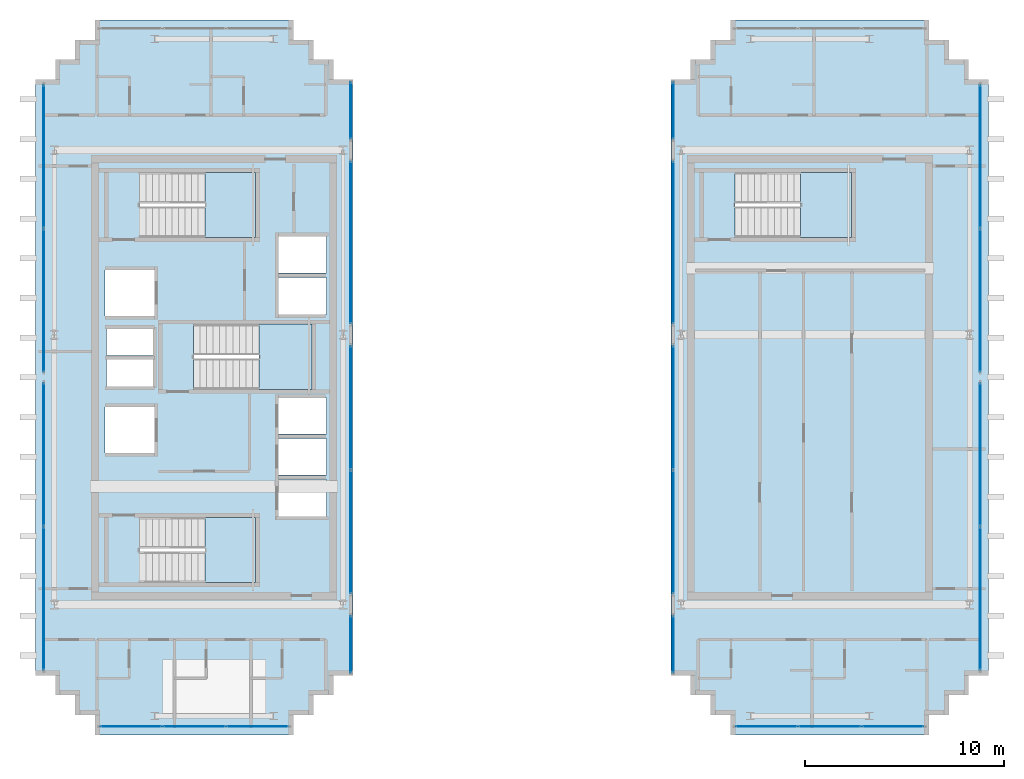
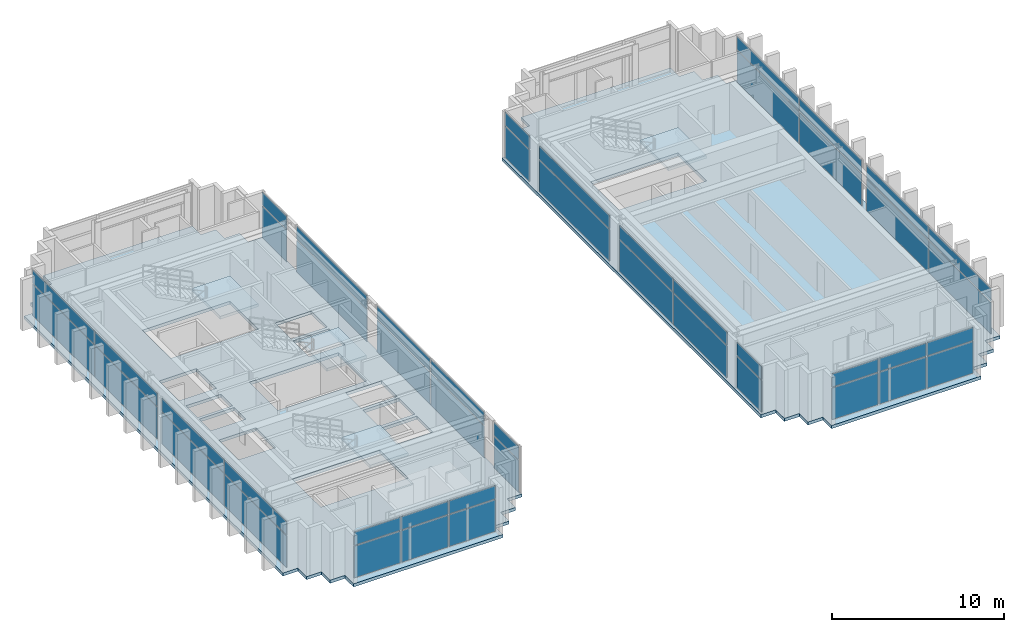
# One storey, part 18 of 25: 48 plates, 6 slabs, 18 elements without a shape of their own.
"""IFC4 building model written with IfcOpenShell, lengths in metres."""

from ifc_helpers import new_model, si_unit, direction, frame, origin, origin_2d, place, context, subcontext, project, spatial, polyline, rectangle, outline, extrude, source, transform, mapped, material, layer, layer_set, type_object, element, aggregate, save


model = new_model("IFC4")

# Units and contexts
model_context = context("Model", 3, precision=1e-05, world=origin(), true_north=direction((0.0, 1.0)))
body_context = subcontext(model_context, "Body", "Model", "MODEL_VIEW")
ifc_project = project(units=[si_unit("LENGTHUNIT", "METRE"), si_unit("AREAUNIT", "SQUARE_METRE"), si_unit("VOLUMEUNIT", "CUBIC_METRE"), si_unit("PLANEANGLEUNIT", "RADIAN"), si_unit("MASSUNIT", "GRAM", prefix="KILO")], contexts=[model_context])

# Site, building, storey
site_placement = place(None, origin())
site = spatial("IfcSite", under=ifc_project, at=site_placement, CompositionType="ELEMENT")
building_placement = place(site_placement, origin())
building = spatial("IfcBuilding", under=site, at=building_placement, Name="Ocotamira Hotel", CompositionType="ELEMENT")
storey_placement = place(building_placement, frame((0.0, 0.0, 254.39990234375)))
storey = spatial("IfcBuildingStorey", under=building, at=storey_placement, Name="L64", CompositionType="ELEMENT", Elevation=254.39990234375)

# Stair, slab
ifc_material_1 = material(Name="Concrete C40/50", Category="concrete")
stair_type = type_object("IfcStairType", Name="ST-CORE-1560", PredefinedType="HALF_TURN_STAIR", material=ifc_material_1)
stair_1_placement = place(storey_placement, origin())
stair_1 = element("IfcStair", 1, at=stair_1_placement, inside=storey, type_object=stair_type, Name="L64 Exit Stair ST-1", PredefinedType="HALF_TURN_STAIR")
ifc_layer_1 = layer(ifc_material_1, 0.199951171875)
ifc_layer_set_1 = layer_set([ifc_layer_1], Name="Concrete C40/50")
slab_type_1 = type_object("IfcSlabType", Name="SLB-LAND-200", PredefinedType="LANDING", material=ifc_layer_set_1)
slab_1_placement = place(storey_placement, frame((0.0, 0.0, 1.60009765625)))
slab_1 = element("IfcSlab", 2, at=slab_1_placement, type_object=slab_type_1, Name="ST-1 landing 1", PredefinedType="LANDING", context=body_context, shape_type="SweptSolid", body=[
    extrude(outline(polyline([(16.530029296875, 15.669921875), (19.090087890625, 15.669921875), (19.090087890625, 18.949951171875), (16.530029296875, 18.949951171875), (16.530029296875, 15.669921875)])), origin(), (0.0, 0.0, 1.0), 0.199951171875),
])
aggregate(stair_1, [slab_1])

stair_2_placement = place(storey_placement, origin())
stair_2 = element("IfcStair", 3, at=stair_2_placement, inside=storey, type_object=stair_type, Name="L64 Exit Stair ST-2", PredefinedType="HALF_TURN_STAIR")
slab_2_placement = place(storey_placement, frame((0.0, 0.0, 1.60009765625)))
slab_2 = element("IfcSlab", 4, at=slab_2_placement, type_object=slab_type_1, Name="ST-2 landing 1", PredefinedType="LANDING", context=body_context, shape_type="SweptSolid", body=[
    extrude(outline(polyline([(16.530029296875, 33.050048828125), (19.090087890625, 33.050048828125), (19.090087890625, 36.330078125), (16.530029296875, 36.330078125), (16.530029296875, 33.050048828125)])), origin(), (0.0, 0.0, 1.0), 0.199951171875),
])
aggregate(stair_2, [slab_2])

stair_3_placement = place(storey_placement, origin())
stair_3 = element("IfcStair", 5, at=stair_3_placement, inside=storey, type_object=stair_type, Name="L64 Exit Stair ST-3", PredefinedType="HALF_TURN_STAIR")
slab_3_placement = place(storey_placement, frame((0.0, 0.0, 1.60009765625)))
slab_3 = element("IfcSlab", 6, at=slab_3_placement, type_object=slab_type_1, Name="ST-3 landing 1", PredefinedType="LANDING", context=body_context, shape_type="SweptSolid", body=[
    extrude(outline(polyline([(19.260009765625, 25.39990234375), (21.919921875, 25.39990234375), (21.919921875, 28.679931640625), (19.260009765625, 28.679931640625), (19.260009765625, 25.39990234375)])), origin(), (0.0, 0.0, 1.0), 0.199951171875),
])
aggregate(stair_3, [slab_3])

stair_4_placement = place(storey_placement, origin())
stair_4 = element("IfcStair", 7, at=stair_4_placement, inside=storey, type_object=stair_type, Name="L64 Exit Stair ST-4", PredefinedType="HALF_TURN_STAIR")
slab_4_placement = place(storey_placement, frame((0.0, 0.0, 1.60009765625)))
slab_4 = element("IfcSlab", 8, at=slab_4_placement, type_object=slab_type_1, Name="ST-4 landing 1", PredefinedType="LANDING", context=body_context, shape_type="SweptSolid", body=[
    extrude(outline(polyline([(46.530029296875, 33.050048828125), (49.090087890625, 33.050048828125), (49.090087890625, 36.330078125), (46.530029296875, 36.330078125), (46.530029296875, 33.050048828125)])), origin(), (0.0, 0.0, 1.0), 0.199951171875),
])
aggregate(stair_4, [slab_4])

# Slabs
ifc_layer_2 = layer(ifc_material_1, 0.219970703125)
ifc_layer_set_2 = layer_set([ifc_layer_2], Name="Concrete C40/50")
slab_type_2 = type_object("IfcSlabType", Name="SLB-UPP-220", PredefinedType="FLOOR", material=ifc_layer_set_2)
slab_5_placement = place(storey_placement, frame((0.0, 0.0, -0.219970703125)))
element("IfcSlab", 9, at=slab_5_placement, inside=storey, type_object=slab_type_2, Name="L64 Structural Floor Slab-P1", PredefinedType="FLOOR", context=body_context, shape_type="SweptSolid", body=[
    extrude(outline(polyline([(11.0, 8.0), (21.0, 8.0), (21.0, 9.0), (22.0, 9.0), (22.0, 10.0), (23.0, 10.0), (23.0, 11.0), (24.0, 11.0), (24.0, 41.0), (23.0, 41.0), (23.0, 42.0), (22.0, 42.0), (22.0, 43.0), (21.0, 43.0), (21.0, 44.0), (11.0, 44.0), (11.0, 43.0), (10.0, 43.0), (10.0, 42.0), (9.0, 42.0), (9.0, 41.0), (8.0, 41.0), (8.0, 11.0), (9.0, 11.0), (9.0, 10.0), (10.0, 10.0), (10.0, 9.0), (11.0, 9.0), (11.0, 8.0)]), holes=[polyline([(13.22998046875, 15.669921875), (19.090087890625, 15.669921875), (19.090087890625, 18.949951171875), (13.22998046875, 18.949951171875), (13.22998046875, 15.669921875)]), polyline([(13.22998046875, 33.050048828125), (19.090087890625, 33.050048828125), (19.090087890625, 36.330078125), (13.22998046875, 36.330078125), (13.22998046875, 33.050048828125)]), polyline([(15.9599609375, 25.39990234375), (21.919921875, 25.39990234375), (21.919921875, 28.679931640625), (15.9599609375, 28.679931640625), (15.9599609375, 25.39990234375)]), polyline([(20.25, 19.0), (22.659912109375, 19.0), (22.659912109375, 20.85009765625), (20.25, 20.85009765625), (20.25, 19.0)]), polyline([(20.25, 21.080078125), (22.659912109375, 21.080078125), (22.659912109375, 22.929931640625), (20.25, 22.929931640625), (20.25, 21.080078125)]), polyline([(20.25, 23.159912109375), (22.659912109375, 23.159912109375), (22.659912109375, 24.9599609375), (20.25, 24.9599609375), (20.25, 23.159912109375)]), polyline([(20.25, 29.179931640625), (22.659912109375, 29.179931640625), (22.659912109375, 31.030029296875), (20.25, 31.030029296875), (20.25, 29.179931640625)]), polyline([(20.25, 31.260009765625), (22.659912109375, 31.260009765625), (22.659912109375, 33.110107421875), (20.25, 33.110107421875), (20.25, 31.260009765625)]), polyline([(11.5, 22.199951171875), (14.0, 22.199951171875), (14.0, 24.5), (11.5, 24.5), (11.5, 22.199951171875)]), polyline([(11.5, 29.10009765625), (14.0, 29.10009765625), (14.0, 31.39990234375), (11.5, 31.39990234375), (11.5, 29.10009765625)]), polyline([(11.580078125, 25.550048828125), (13.919921875, 25.550048828125), (13.919921875, 26.89990234375), (11.580078125, 26.89990234375), (11.580078125, 25.550048828125)]), polyline([(11.580078125, 27.10009765625), (13.919921875, 27.10009765625), (13.919921875, 28.449951171875), (11.580078125, 28.449951171875), (11.580078125, 27.10009765625)])]), origin(), (0.0, 0.0, 1.0), 0.219970703125),
])
slab_6_placement = place(storey_placement, frame((0.0, 0.0, -0.219970703125)))
element("IfcSlab", 10, at=slab_6_placement, inside=storey, type_object=slab_type_2, Name="L64 Structural Floor Slab-P2", PredefinedType="FLOOR", context=body_context, shape_type="SweptSolid", body=[
    extrude(outline(polyline([(43.0, 8.0), (53.0, 8.0), (53.0, 9.0), (54.0, 9.0), (54.0, 10.0), (55.0, 10.0), (55.0, 11.0), (56.0, 11.0), (56.0, 41.0), (55.0, 41.0), (55.0, 42.0), (54.0, 42.0), (54.0, 43.0), (53.0, 43.0), (53.0, 44.0), (43.0, 44.0), (43.0, 43.0), (42.0, 43.0), (42.0, 42.0), (41.0, 42.0), (41.0, 41.0), (40.0, 41.0), (40.0, 11.0), (41.0, 11.0), (41.0, 10.0), (42.0, 10.0), (42.0, 9.0), (43.0, 9.0), (43.0, 8.0)]), holes=[polyline([(43.22998046875, 33.050048828125), (49.090087890625, 33.050048828125), (49.090087890625, 36.330078125), (43.22998046875, 36.330078125), (43.22998046875, 33.050048828125)])]), origin(), (0.0, 0.0, 1.0), 0.219970703125),
])

# Curtain wall, plates
ifc_material_2 = material(Name="Anodised pale-metal aluminium and solar glass", Category="aluminium")
ifc_layer_3 = layer(ifc_material_2, 0.2099609375)
ifc_layer_set_3 = layer_set([ifc_layer_3], Name="Anodised pale-metal aluminium and solar glass")
curtain_wall_type = type_object("IfcCurtainWallType", Name="CW-SYS7-PEAK", PredefinedType="NOTDEFINED", material=ifc_layer_set_3)
curtain_wall_1_placement = place(storey_placement, origin())
curtain_wall_1 = element("IfcCurtainWall", 11, at=curtain_wall_1_placement, inside=storey, type_object=curtain_wall_type, Name="L64 Curtain Wall CW-7 CW-L64-WS", PredefinedType="NOTDEFINED")
ifc_material_3 = material(Name="Double-silver low-E insulated solar glass", Category="glass")
ifc_layer_4 = layer(ifc_material_3, 0.031982421875)
ifc_layer_set_4 = layer_set([ifc_layer_4], Name="Double-silver low-E insulated solar glass")
plate_type = type_object("IfcPlateType", Name="CWP-VISION-32", PredefinedType="CURTAIN_PANEL", material=ifc_layer_set_4)
shared_shape_1 = source(origin(), body_context, "Body", "SweptSolid", [
    extrude(rectangle(XDim=3.080078125, YDim=0.031982421875, at=origin_2d()), origin(), (0.0, 0.0, 1.0), 2.237548828125),
])
plate_1_placement = place(storey_placement, frame((12.820068359375, 8.419921875, 0.0751953125), z_axis=(0.0, 0.0, 1.0), x_axis=(1.0, 0.0, 0.0)))
plate_1 = element("IfcPlate", 12, at=plate_1_placement, type_object=plate_type, Name="CW-7 panel 1.1", PredefinedType="CURTAIN_PANEL", context=body_context, shape_type="MappedRepresentation", body=[
    mapped(shared_shape_1, transform((0.0, 0.0, 0.0), scale=1.0)),
])
plate_2_placement = place(storey_placement, frame((19.179931640625, 8.419921875, 0.0751953125), z_axis=(0.0, 0.0, 1.0), x_axis=(1.0, 0.0, 0.0)))
plate_2 = element("IfcPlate", 13, at=plate_2_placement, type_object=plate_type, Name="CW-7 panel 3.1", PredefinedType="CURTAIN_PANEL", context=body_context, shape_type="MappedRepresentation", body=[
    mapped(shared_shape_1, transform((0.0, 0.0, 0.0), scale=1.0)),
])

curtain_wall_2_placement = place(storey_placement, origin())
curtain_wall_2 = element("IfcCurtainWall", 14, at=curtain_wall_2_placement, inside=storey, type_object=curtain_wall_type, Name="L64 Curtain Wall CW-7 CW-L64-ES", PredefinedType="NOTDEFINED")
plate_3_placement = place(storey_placement, frame((44.820068359375, 8.419921875, 0.0751953125), z_axis=(0.0, 0.0, 1.0), x_axis=(1.0, 0.0, 0.0)))
plate_3 = element("IfcPlate", 15, at=plate_3_placement, type_object=plate_type, Name="CW-7 panel 1.1", PredefinedType="CURTAIN_PANEL", context=body_context, shape_type="MappedRepresentation", body=[
    mapped(shared_shape_1, transform((0.0, 0.0, 0.0), scale=1.0)),
])
plate_4_placement = place(storey_placement, frame((51.179931640625, 8.419921875, 0.0751953125), z_axis=(0.0, 0.0, 1.0), x_axis=(1.0, 0.0, 0.0)))
plate_4 = element("IfcPlate", 16, at=plate_4_placement, type_object=plate_type, Name="CW-7 panel 3.1", PredefinedType="CURTAIN_PANEL", context=body_context, shape_type="MappedRepresentation", body=[
    mapped(shared_shape_1, transform((0.0, 0.0, 0.0), scale=1.0)),
])

# Plate
shared_shape_2 = source(origin(), body_context, "Body", "SweptSolid", [
    extrude(rectangle(XDim=3.080078125, YDim=0.031982421875, at=origin_2d()), origin(), (0.0, 0.0, 1.0), 0.91748046875),
])
plate_5_placement = place(storey_placement, frame((12.820068359375, 8.419921875, 2.3876953125), z_axis=(0.0, 0.0, 1.0), x_axis=(1.0, 0.0, 0.0)))
plate_5 = element("IfcPlate", 17, at=plate_5_placement, type_object=plate_type, Name="CW-7 panel 1.2", PredefinedType="CURTAIN_PANEL", context=body_context, shape_type="MappedRepresentation", body=[
    mapped(shared_shape_2, transform((0.0, 0.0, 0.0), scale=1.0)),
])

plate_6_placement = place(storey_placement, frame((19.179931640625, 8.419921875, 2.3876953125), z_axis=(0.0, 0.0, 1.0), x_axis=(1.0, 0.0, 0.0)))
plate_6 = element("IfcPlate", 18, at=plate_6_placement, type_object=plate_type, Name="CW-7 panel 3.2", PredefinedType="CURTAIN_PANEL", context=body_context, shape_type="MappedRepresentation", body=[
    mapped(shared_shape_2, transform((0.0, 0.0, 0.0), scale=1.0)),
])

plate_7_placement = place(storey_placement, frame((44.820068359375, 8.419921875, 2.3876953125), z_axis=(0.0, 0.0, 1.0), x_axis=(1.0, 0.0, 0.0)))
plate_7 = element("IfcPlate", 19, at=plate_7_placement, type_object=plate_type, Name="CW-7 panel 1.2", PredefinedType="CURTAIN_PANEL", context=body_context, shape_type="MappedRepresentation", body=[
    mapped(shared_shape_2, transform((0.0, 0.0, 0.0), scale=1.0)),
])

plate_8_placement = place(storey_placement, frame((51.179931640625, 8.419921875, 2.3876953125), z_axis=(0.0, 0.0, 1.0), x_axis=(1.0, 0.0, 0.0)))
plate_8 = element("IfcPlate", 20, at=plate_8_placement, type_object=plate_type, Name="CW-7 panel 3.2", PredefinedType="CURTAIN_PANEL", context=body_context, shape_type="MappedRepresentation", body=[
    mapped(shared_shape_2, transform((0.0, 0.0, 0.0), scale=1.0)),
])

shared_shape_3 = source(origin(), body_context, "Body", "SweptSolid", [
    extrude(rectangle(XDim=3.1201171875, YDim=0.031982421875, at=origin_2d()), origin(), (0.0, 0.0, 1.0), 2.237548828125),
])
plate_9_placement = place(storey_placement, frame((16.0, 8.419921875, 0.0751953125), z_axis=(0.0, 0.0, 1.0), x_axis=(1.0, 0.0, 0.0)))
plate_9 = element("IfcPlate", 21, at=plate_9_placement, type_object=plate_type, Name="CW-7 panel 2.1", PredefinedType="CURTAIN_PANEL", context=body_context, shape_type="MappedRepresentation", body=[
    mapped(shared_shape_3, transform((0.0, 0.0, 0.0), scale=1.0)),
])

plate_10_placement = place(storey_placement, frame((48.0, 8.419921875, 0.0751953125), z_axis=(0.0, 0.0, 1.0), x_axis=(1.0, 0.0, 0.0)))
plate_10 = element("IfcPlate", 22, at=plate_10_placement, type_object=plate_type, Name="CW-7 panel 2.1", PredefinedType="CURTAIN_PANEL", context=body_context, shape_type="MappedRepresentation", body=[
    mapped(shared_shape_3, transform((0.0, 0.0, 0.0), scale=1.0)),
])

shared_shape_4 = source(origin(), body_context, "Body", "SweptSolid", [
    extrude(rectangle(XDim=3.1201171875, YDim=0.031982421875, at=origin_2d()), origin(), (0.0, 0.0, 1.0), 0.91748046875),
])
plate_11_placement = place(storey_placement, frame((16.0, 8.419921875, 2.3876953125), z_axis=(0.0, 0.0, 1.0), x_axis=(1.0, 0.0, 0.0)))
plate_11 = element("IfcPlate", 23, at=plate_11_placement, type_object=plate_type, Name="CW-7 panel 2.2", PredefinedType="CURTAIN_PANEL", context=body_context, shape_type="MappedRepresentation", body=[
    mapped(shared_shape_4, transform((0.0, 0.0, 0.0), scale=1.0)),
])

aggregate(curtain_wall_1, [plate_1, plate_5, plate_9, plate_11, plate_2, plate_6])

plate_12_placement = place(storey_placement, frame((48.0, 8.419921875, 2.3876953125), z_axis=(0.0, 0.0, 1.0), x_axis=(1.0, 0.0, 0.0)))
plate_12 = element("IfcPlate", 24, at=plate_12_placement, type_object=plate_type, Name="CW-7 panel 2.2", PredefinedType="CURTAIN_PANEL", context=body_context, shape_type="MappedRepresentation", body=[
    mapped(shared_shape_4, transform((0.0, 0.0, 0.0), scale=1.0)),
])

aggregate(curtain_wall_2, [plate_3, plate_7, plate_10, plate_12, plate_4, plate_8])

# Curtain wall, plates
curtain_wall_3_placement = place(storey_placement, origin())
curtain_wall_3 = element("IfcCurtainWall", 25, at=curtain_wall_3_placement, inside=storey, type_object=curtain_wall_type, Name="L64 Curtain Wall CW-7 CW-L64-WO1", PredefinedType="NOTDEFINED")
shared_shape_5 = source(origin(), body_context, "Body", "SweptSolid", [
    extrude(rectangle(XDim=7.179931640625, YDim=0.031982421875, at=origin_2d()), origin(), (0.0, 0.0, 1.0), 2.237548828125),
])
plate_13_placement = place(storey_placement, frame((8.419921875, 14.8701171875, 0.0751953125), z_axis=(0.0, 0.0, 1.0), x_axis=(0.0, 1.0, 0.0)))
plate_13 = element("IfcPlate", 26, at=plate_13_placement, type_object=plate_type, Name="CW-7 panel 1.1", PredefinedType="CURTAIN_PANEL", context=body_context, shape_type="MappedRepresentation", body=[
    mapped(shared_shape_5, transform((0.0, 0.0, 0.0), scale=1.0)),
])
plate_14_placement = place(storey_placement, frame((8.419921875, 22.1298828125, 0.0751953125), z_axis=(0.0, 0.0, 1.0), x_axis=(0.0, 1.0, 0.0)))
plate_14 = element("IfcPlate", 27, at=plate_14_placement, type_object=plate_type, Name="CW-7 panel 2.1", PredefinedType="CURTAIN_PANEL", context=body_context, shape_type="MappedRepresentation", body=[
    mapped(shared_shape_5, transform((0.0, 0.0, 0.0), scale=1.0)),
])

curtain_wall_4_placement = place(storey_placement, origin())
curtain_wall_4 = element("IfcCurtainWall", 28, at=curtain_wall_4_placement, inside=storey, type_object=curtain_wall_type, Name="L64 Curtain Wall CW-7 CW-L64-WO2", PredefinedType="NOTDEFINED")
plate_15_placement = place(storey_placement, frame((8.419921875, 29.8701171875, 0.0751953125), z_axis=(0.0, 0.0, 1.0), x_axis=(0.0, 1.0, 0.0)))
plate_15 = element("IfcPlate", 29, at=plate_15_placement, type_object=plate_type, Name="CW-7 panel 1.1", PredefinedType="CURTAIN_PANEL", context=body_context, shape_type="MappedRepresentation", body=[
    mapped(shared_shape_5, transform((0.0, 0.0, 0.0), scale=1.0)),
])
plate_16_placement = place(storey_placement, frame((8.419921875, 37.1298828125, 0.0751953125), z_axis=(0.0, 0.0, 1.0), x_axis=(0.0, 1.0, 0.0)))
plate_16 = element("IfcPlate", 30, at=plate_16_placement, type_object=plate_type, Name="CW-7 panel 2.1", PredefinedType="CURTAIN_PANEL", context=body_context, shape_type="MappedRepresentation", body=[
    mapped(shared_shape_5, transform((0.0, 0.0, 0.0), scale=1.0)),
])

curtain_wall_5_placement = place(storey_placement, origin())
curtain_wall_5 = element("IfcCurtainWall", 31, at=curtain_wall_5_placement, inside=storey, type_object=curtain_wall_type, Name="L64 Curtain Wall CW-7 CW-L64-EO1", PredefinedType="NOTDEFINED")
plate_17_placement = place(storey_placement, frame((55.580078125, 14.8701171875, 0.0751953125), z_axis=(0.0, 0.0, 1.0), x_axis=(0.0, 1.0, 0.0)))
plate_17 = element("IfcPlate", 32, at=plate_17_placement, type_object=plate_type, Name="CW-7 panel 1.1", PredefinedType="CURTAIN_PANEL", context=body_context, shape_type="MappedRepresentation", body=[
    mapped(shared_shape_5, transform((0.0, 0.0, 0.0), scale=1.0)),
])
plate_18_placement = place(storey_placement, frame((55.580078125, 22.1298828125, 0.0751953125), z_axis=(0.0, 0.0, 1.0), x_axis=(0.0, 1.0, 0.0)))
plate_18 = element("IfcPlate", 33, at=plate_18_placement, type_object=plate_type, Name="CW-7 panel 2.1", PredefinedType="CURTAIN_PANEL", context=body_context, shape_type="MappedRepresentation", body=[
    mapped(shared_shape_5, transform((0.0, 0.0, 0.0), scale=1.0)),
])

curtain_wall_6_placement = place(storey_placement, origin())
curtain_wall_6 = element("IfcCurtainWall", 34, at=curtain_wall_6_placement, inside=storey, type_object=curtain_wall_type, Name="L64 Curtain Wall CW-7 CW-L64-EO2", PredefinedType="NOTDEFINED")
plate_19_placement = place(storey_placement, frame((55.580078125, 29.8701171875, 0.0751953125), z_axis=(0.0, 0.0, 1.0), x_axis=(0.0, 1.0, 0.0)))
plate_19 = element("IfcPlate", 35, at=plate_19_placement, type_object=plate_type, Name="CW-7 panel 1.1", PredefinedType="CURTAIN_PANEL", context=body_context, shape_type="MappedRepresentation", body=[
    mapped(shared_shape_5, transform((0.0, 0.0, 0.0), scale=1.0)),
])
plate_20_placement = place(storey_placement, frame((55.580078125, 37.1298828125, 0.0751953125), z_axis=(0.0, 0.0, 1.0), x_axis=(0.0, 1.0, 0.0)))
plate_20 = element("IfcPlate", 36, at=plate_20_placement, type_object=plate_type, Name="CW-7 panel 2.1", PredefinedType="CURTAIN_PANEL", context=body_context, shape_type="MappedRepresentation", body=[
    mapped(shared_shape_5, transform((0.0, 0.0, 0.0), scale=1.0)),
])

# Plate
shared_shape_6 = source(origin(), body_context, "Body", "SweptSolid", [
    extrude(rectangle(XDim=7.179931640625, YDim=0.031982421875, at=origin_2d()), origin(), (0.0, 0.0, 1.0), 0.91748046875),
])
plate_21_placement = place(storey_placement, frame((8.419921875, 14.8701171875, 2.3876953125), z_axis=(0.0, 0.0, 1.0), x_axis=(0.0, 1.0, 0.0)))
plate_21 = element("IfcPlate", 37, at=plate_21_placement, type_object=plate_type, Name="CW-7 panel 1.2", PredefinedType="CURTAIN_PANEL", context=body_context, shape_type="MappedRepresentation", body=[
    mapped(shared_shape_6, transform((0.0, 0.0, 0.0), scale=1.0)),
])

plate_22_placement = place(storey_placement, frame((8.419921875, 22.1298828125, 2.3876953125), z_axis=(0.0, 0.0, 1.0), x_axis=(0.0, 1.0, 0.0)))
plate_22 = element("IfcPlate", 38, at=plate_22_placement, type_object=plate_type, Name="CW-7 panel 2.2", PredefinedType="CURTAIN_PANEL", context=body_context, shape_type="MappedRepresentation", body=[
    mapped(shared_shape_6, transform((0.0, 0.0, 0.0), scale=1.0)),
])

aggregate(curtain_wall_3, [plate_13, plate_21, plate_14, plate_22])

plate_23_placement = place(storey_placement, frame((8.419921875, 29.8701171875, 2.3876953125), z_axis=(0.0, 0.0, 1.0), x_axis=(0.0, 1.0, 0.0)))
plate_23 = element("IfcPlate", 39, at=plate_23_placement, type_object=plate_type, Name="CW-7 panel 1.2", PredefinedType="CURTAIN_PANEL", context=body_context, shape_type="MappedRepresentation", body=[
    mapped(shared_shape_6, transform((0.0, 0.0, 0.0), scale=1.0)),
])

plate_24_placement = place(storey_placement, frame((8.419921875, 37.1298828125, 2.3876953125), z_axis=(0.0, 0.0, 1.0), x_axis=(0.0, 1.0, 0.0)))
plate_24 = element("IfcPlate", 40, at=plate_24_placement, type_object=plate_type, Name="CW-7 panel 2.2", PredefinedType="CURTAIN_PANEL", context=body_context, shape_type="MappedRepresentation", body=[
    mapped(shared_shape_6, transform((0.0, 0.0, 0.0), scale=1.0)),
])

aggregate(curtain_wall_4, [plate_15, plate_23, plate_16, plate_24])

plate_25_placement = place(storey_placement, frame((55.580078125, 14.8701171875, 2.3876953125), z_axis=(0.0, 0.0, 1.0), x_axis=(0.0, 1.0, 0.0)))
plate_25 = element("IfcPlate", 41, at=plate_25_placement, type_object=plate_type, Name="CW-7 panel 1.2", PredefinedType="CURTAIN_PANEL", context=body_context, shape_type="MappedRepresentation", body=[
    mapped(shared_shape_6, transform((0.0, 0.0, 0.0), scale=1.0)),
])

plate_26_placement = place(storey_placement, frame((55.580078125, 22.1298828125, 2.3876953125), z_axis=(0.0, 0.0, 1.0), x_axis=(0.0, 1.0, 0.0)))
plate_26 = element("IfcPlate", 42, at=plate_26_placement, type_object=plate_type, Name="CW-7 panel 2.2", PredefinedType="CURTAIN_PANEL", context=body_context, shape_type="MappedRepresentation", body=[
    mapped(shared_shape_6, transform((0.0, 0.0, 0.0), scale=1.0)),
])

aggregate(curtain_wall_5, [plate_17, plate_25, plate_18, plate_26])

plate_27_placement = place(storey_placement, frame((55.580078125, 29.8701171875, 2.3876953125), z_axis=(0.0, 0.0, 1.0), x_axis=(0.0, 1.0, 0.0)))
plate_27 = element("IfcPlate", 43, at=plate_27_placement, type_object=plate_type, Name="CW-7 panel 1.2", PredefinedType="CURTAIN_PANEL", context=body_context, shape_type="MappedRepresentation", body=[
    mapped(shared_shape_6, transform((0.0, 0.0, 0.0), scale=1.0)),
])

plate_28_placement = place(storey_placement, frame((55.580078125, 37.1298828125, 2.3876953125), z_axis=(0.0, 0.0, 1.0), x_axis=(0.0, 1.0, 0.0)))
plate_28 = element("IfcPlate", 44, at=plate_28_placement, type_object=plate_type, Name="CW-7 panel 2.2", PredefinedType="CURTAIN_PANEL", context=body_context, shape_type="MappedRepresentation", body=[
    mapped(shared_shape_6, transform((0.0, 0.0, 0.0), scale=1.0)),
])

aggregate(curtain_wall_6, [plate_19, plate_27, plate_20, plate_28])

# Curtain wall, plate
curtain_wall_7_placement = place(storey_placement, origin())
curtain_wall_7 = element("IfcCurtainWall", 45, at=curtain_wall_7_placement, inside=storey, type_object=curtain_wall_type, Name="L64 Curtain Wall CW-7 CW-L64-WI1", PredefinedType="NOTDEFINED")
shared_shape_7 = source(origin(), body_context, "Body", "SweptSolid", [
    extrude(rectangle(XDim=2.840087890625, YDim=0.031982421875, at=origin_2d()), origin(), (0.0, 0.0, 1.0), 2.237548828125),
])
plate_29_placement = place(storey_placement, frame((23.8798828125, 12.550048828125, 0.0751953125), z_axis=(0.0, 0.0, 1.0), x_axis=(0.0, 1.0, 0.0)))
plate_29 = element("IfcPlate", 46, at=plate_29_placement, type_object=plate_type, Name="CW-7 panel 1.1", PredefinedType="CURTAIN_PANEL", context=body_context, shape_type="MappedRepresentation", body=[
    mapped(shared_shape_7, transform((0.0, 0.0, 0.0), scale=1.0)),
])

curtain_wall_8_placement = place(storey_placement, origin())
curtain_wall_8 = element("IfcCurtainWall", 47, at=curtain_wall_8_placement, inside=storey, type_object=curtain_wall_type, Name="L64 Curtain Wall CW-7 CW-L64-WI4", PredefinedType="NOTDEFINED")
plate_30_placement = place(storey_placement, frame((23.8798828125, 39.449951171875, 0.0751953125), z_axis=(0.0, 0.0, 1.0), x_axis=(0.0, 1.0, 0.0)))
plate_30 = element("IfcPlate", 48, at=plate_30_placement, type_object=plate_type, Name="CW-7 panel 1.1", PredefinedType="CURTAIN_PANEL", context=body_context, shape_type="MappedRepresentation", body=[
    mapped(shared_shape_7, transform((0.0, 0.0, 0.0), scale=1.0)),
])

curtain_wall_9_placement = place(storey_placement, origin())
curtain_wall_9 = element("IfcCurtainWall", 49, at=curtain_wall_9_placement, inside=storey, type_object=curtain_wall_type, Name="L64 Curtain Wall CW-7 CW-L64-EI1", PredefinedType="NOTDEFINED")
plate_31_placement = place(storey_placement, frame((40.1201171875, 12.550048828125, 0.0751953125), z_axis=(0.0, 0.0, 1.0), x_axis=(0.0, 1.0, 0.0)))
plate_31 = element("IfcPlate", 50, at=plate_31_placement, type_object=plate_type, Name="CW-7 panel 1.1", PredefinedType="CURTAIN_PANEL", context=body_context, shape_type="MappedRepresentation", body=[
    mapped(shared_shape_7, transform((0.0, 0.0, 0.0), scale=1.0)),
])

curtain_wall_10_placement = place(storey_placement, origin())
curtain_wall_10 = element("IfcCurtainWall", 51, at=curtain_wall_10_placement, inside=storey, type_object=curtain_wall_type, Name="L64 Curtain Wall CW-7 CW-L64-EI4", PredefinedType="NOTDEFINED")
plate_32_placement = place(storey_placement, frame((40.1201171875, 39.449951171875, 0.0751953125), z_axis=(0.0, 0.0, 1.0), x_axis=(0.0, 1.0, 0.0)))
plate_32 = element("IfcPlate", 52, at=plate_32_placement, type_object=plate_type, Name="CW-7 panel 1.1", PredefinedType="CURTAIN_PANEL", context=body_context, shape_type="MappedRepresentation", body=[
    mapped(shared_shape_7, transform((0.0, 0.0, 0.0), scale=1.0)),
])

# Plate
shared_shape_8 = source(origin(), body_context, "Body", "SweptSolid", [
    extrude(rectangle(XDim=2.840087890625, YDim=0.031982421875, at=origin_2d()), origin(), (0.0, 0.0, 1.0), 0.91748046875),
])
plate_33_placement = place(storey_placement, frame((23.8798828125, 12.550048828125, 2.3876953125), z_axis=(0.0, 0.0, 1.0), x_axis=(0.0, 1.0, 0.0)))
plate_33 = element("IfcPlate", 53, at=plate_33_placement, type_object=plate_type, Name="CW-7 panel 1.2", PredefinedType="CURTAIN_PANEL", context=body_context, shape_type="MappedRepresentation", body=[
    mapped(shared_shape_8, transform((0.0, 0.0, 0.0), scale=1.0)),
])

aggregate(curtain_wall_7, [plate_29, plate_33])

plate_34_placement = place(storey_placement, frame((23.8798828125, 39.449951171875, 2.3876953125), z_axis=(0.0, 0.0, 1.0), x_axis=(0.0, 1.0, 0.0)))
plate_34 = element("IfcPlate", 54, at=plate_34_placement, type_object=plate_type, Name="CW-7 panel 1.2", PredefinedType="CURTAIN_PANEL", context=body_context, shape_type="MappedRepresentation", body=[
    mapped(shared_shape_8, transform((0.0, 0.0, 0.0), scale=1.0)),
])

aggregate(curtain_wall_8, [plate_30, plate_34])

plate_35_placement = place(storey_placement, frame((40.1201171875, 12.550048828125, 2.3876953125), z_axis=(0.0, 0.0, 1.0), x_axis=(0.0, 1.0, 0.0)))
plate_35 = element("IfcPlate", 55, at=plate_35_placement, type_object=plate_type, Name="CW-7 panel 1.2", PredefinedType="CURTAIN_PANEL", context=body_context, shape_type="MappedRepresentation", body=[
    mapped(shared_shape_8, transform((0.0, 0.0, 0.0), scale=1.0)),
])

aggregate(curtain_wall_9, [plate_31, plate_35])

plate_36_placement = place(storey_placement, frame((40.1201171875, 39.449951171875, 2.3876953125), z_axis=(0.0, 0.0, 1.0), x_axis=(0.0, 1.0, 0.0)))
plate_36 = element("IfcPlate", 56, at=plate_36_placement, type_object=plate_type, Name="CW-7 panel 1.2", PredefinedType="CURTAIN_PANEL", context=body_context, shape_type="MappedRepresentation", body=[
    mapped(shared_shape_8, transform((0.0, 0.0, 0.0), scale=1.0)),
])

aggregate(curtain_wall_10, [plate_32, plate_36])

# Curtain wall, plates
curtain_wall_11_placement = place(storey_placement, origin())
curtain_wall_11 = element("IfcCurtainWall", 57, at=curtain_wall_11_placement, inside=storey, type_object=curtain_wall_type, Name="L64 Curtain Wall CW-7 CW-L64-WI2", PredefinedType="NOTDEFINED")
shared_shape_9 = source(origin(), body_context, "Body", "SweptSolid", [
    extrude(rectangle(XDim=6.179931640625, YDim=0.031982421875, at=origin_2d()), origin(), (0.0, 0.0, 1.0), 2.237548828125),
])
plate_37_placement = place(storey_placement, frame((23.8798828125, 18.219970703125, 0.0751953125), z_axis=(0.0, 0.0, 1.0), x_axis=(0.0, 1.0, 0.0)))
plate_37 = element("IfcPlate", 58, at=plate_37_placement, type_object=plate_type, Name="CW-7 panel 1.1", PredefinedType="CURTAIN_PANEL", context=body_context, shape_type="MappedRepresentation", body=[
    mapped(shared_shape_9, transform((0.0, 0.0, 0.0), scale=1.0)),
])
plate_38_placement = place(storey_placement, frame((23.8798828125, 24.47998046875, 0.0751953125), z_axis=(0.0, 0.0, 1.0), x_axis=(0.0, 1.0, 0.0)))
plate_38 = element("IfcPlate", 59, at=plate_38_placement, type_object=plate_type, Name="CW-7 panel 2.1", PredefinedType="CURTAIN_PANEL", context=body_context, shape_type="MappedRepresentation", body=[
    mapped(shared_shape_9, transform((0.0, 0.0, 0.0), scale=1.0)),
])

curtain_wall_12_placement = place(storey_placement, origin())
curtain_wall_12 = element("IfcCurtainWall", 60, at=curtain_wall_12_placement, inside=storey, type_object=curtain_wall_type, Name="L64 Curtain Wall CW-7 CW-L64-EI2", PredefinedType="NOTDEFINED")
plate_39_placement = place(storey_placement, frame((40.1201171875, 18.219970703125, 0.0751953125), z_axis=(0.0, 0.0, 1.0), x_axis=(0.0, 1.0, 0.0)))
plate_39 = element("IfcPlate", 61, at=plate_39_placement, type_object=plate_type, Name="CW-7 panel 1.1", PredefinedType="CURTAIN_PANEL", context=body_context, shape_type="MappedRepresentation", body=[
    mapped(shared_shape_9, transform((0.0, 0.0, 0.0), scale=1.0)),
])
plate_40_placement = place(storey_placement, frame((40.1201171875, 24.47998046875, 0.0751953125), z_axis=(0.0, 0.0, 1.0), x_axis=(0.0, 1.0, 0.0)))
plate_40 = element("IfcPlate", 62, at=plate_40_placement, type_object=plate_type, Name="CW-7 panel 2.1", PredefinedType="CURTAIN_PANEL", context=body_context, shape_type="MappedRepresentation", body=[
    mapped(shared_shape_9, transform((0.0, 0.0, 0.0), scale=1.0)),
])

# Plate
shared_shape_10 = source(origin(), body_context, "Body", "SweptSolid", [
    extrude(rectangle(XDim=6.179931640625, YDim=0.031982421875, at=origin_2d()), origin(), (0.0, 0.0, 1.0), 0.91748046875),
])
plate_41_placement = place(storey_placement, frame((23.8798828125, 18.219970703125, 2.3876953125), z_axis=(0.0, 0.0, 1.0), x_axis=(0.0, 1.0, 0.0)))
plate_41 = element("IfcPlate", 63, at=plate_41_placement, type_object=plate_type, Name="CW-7 panel 1.2", PredefinedType="CURTAIN_PANEL", context=body_context, shape_type="MappedRepresentation", body=[
    mapped(shared_shape_10, transform((0.0, 0.0, 0.0), scale=1.0)),
])

plate_42_placement = place(storey_placement, frame((23.8798828125, 24.47998046875, 2.3876953125), z_axis=(0.0, 0.0, 1.0), x_axis=(0.0, 1.0, 0.0)))
plate_42 = element("IfcPlate", 64, at=plate_42_placement, type_object=plate_type, Name="CW-7 panel 2.2", PredefinedType="CURTAIN_PANEL", context=body_context, shape_type="MappedRepresentation", body=[
    mapped(shared_shape_10, transform((0.0, 0.0, 0.0), scale=1.0)),
])

aggregate(curtain_wall_11, [plate_37, plate_41, plate_38, plate_42])

plate_43_placement = place(storey_placement, frame((40.1201171875, 18.219970703125, 2.3876953125), z_axis=(0.0, 0.0, 1.0), x_axis=(0.0, 1.0, 0.0)))
plate_43 = element("IfcPlate", 65, at=plate_43_placement, type_object=plate_type, Name="CW-7 panel 1.2", PredefinedType="CURTAIN_PANEL", context=body_context, shape_type="MappedRepresentation", body=[
    mapped(shared_shape_10, transform((0.0, 0.0, 0.0), scale=1.0)),
])

plate_44_placement = place(storey_placement, frame((40.1201171875, 24.47998046875, 2.3876953125), z_axis=(0.0, 0.0, 1.0), x_axis=(0.0, 1.0, 0.0)))
plate_44 = element("IfcPlate", 66, at=plate_44_placement, type_object=plate_type, Name="CW-7 panel 2.2", PredefinedType="CURTAIN_PANEL", context=body_context, shape_type="MappedRepresentation", body=[
    mapped(shared_shape_10, transform((0.0, 0.0, 0.0), scale=1.0)),
])

aggregate(curtain_wall_12, [plate_39, plate_43, plate_40, plate_44])

# Curtain wall, plate
curtain_wall_13_placement = place(storey_placement, origin())
curtain_wall_13 = element("IfcCurtainWall", 67, at=curtain_wall_13_placement, inside=storey, type_object=curtain_wall_type, Name="L64 Curtain Wall CW-7 CW-L64-WI3", PredefinedType="NOTDEFINED")
shared_shape_11 = source(origin(), body_context, "Body", "SweptSolid", [
    extrude(rectangle(XDim=8.139892578125, YDim=0.031982421875, at=origin_2d()), origin(), (0.0, 0.0, 1.0), 2.237548828125),
])
plate_45_placement = place(storey_placement, frame((23.8798828125, 32.800048828125, 0.0751953125), z_axis=(0.0, 0.0, 1.0), x_axis=(0.0, 1.0, 0.0)))
plate_45 = element("IfcPlate", 68, at=plate_45_placement, type_object=plate_type, Name="CW-7 panel 1.1", PredefinedType="CURTAIN_PANEL", context=body_context, shape_type="MappedRepresentation", body=[
    mapped(shared_shape_11, transform((0.0, 0.0, 0.0), scale=1.0)),
])

curtain_wall_14_placement = place(storey_placement, origin())
curtain_wall_14 = element("IfcCurtainWall", 69, at=curtain_wall_14_placement, inside=storey, type_object=curtain_wall_type, Name="L64 Curtain Wall CW-7 CW-L64-EI3", PredefinedType="NOTDEFINED")
plate_46_placement = place(storey_placement, frame((40.1201171875, 32.800048828125, 0.0751953125), z_axis=(0.0, 0.0, 1.0), x_axis=(0.0, 1.0, 0.0)))
plate_46 = element("IfcPlate", 70, at=plate_46_placement, type_object=plate_type, Name="CW-7 panel 1.1", PredefinedType="CURTAIN_PANEL", context=body_context, shape_type="MappedRepresentation", body=[
    mapped(shared_shape_11, transform((0.0, 0.0, 0.0), scale=1.0)),
])

# Plate
shared_shape_12 = source(origin(), body_context, "Body", "SweptSolid", [
    extrude(rectangle(XDim=8.139892578125, YDim=0.031982421875, at=origin_2d()), origin(), (0.0, 0.0, 1.0), 0.91748046875),
])
plate_47_placement = place(storey_placement, frame((23.8798828125, 32.800048828125, 2.3876953125), z_axis=(0.0, 0.0, 1.0), x_axis=(0.0, 1.0, 0.0)))
plate_47 = element("IfcPlate", 71, at=plate_47_placement, type_object=plate_type, Name="CW-7 panel 1.2", PredefinedType="CURTAIN_PANEL", context=body_context, shape_type="MappedRepresentation", body=[
    mapped(shared_shape_12, transform((0.0, 0.0, 0.0), scale=1.0)),
])

aggregate(curtain_wall_13, [plate_45, plate_47])

plate_48_placement = place(storey_placement, frame((40.1201171875, 32.800048828125, 2.3876953125), z_axis=(0.0, 0.0, 1.0), x_axis=(0.0, 1.0, 0.0)))
plate_48 = element("IfcPlate", 72, at=plate_48_placement, type_object=plate_type, Name="CW-7 panel 1.2", PredefinedType="CURTAIN_PANEL", context=body_context, shape_type="MappedRepresentation", body=[
    mapped(shared_shape_12, transform((0.0, 0.0, 0.0), scale=1.0)),
])

aggregate(curtain_wall_14, [plate_46, plate_48])

save(model, "model.ifc")
